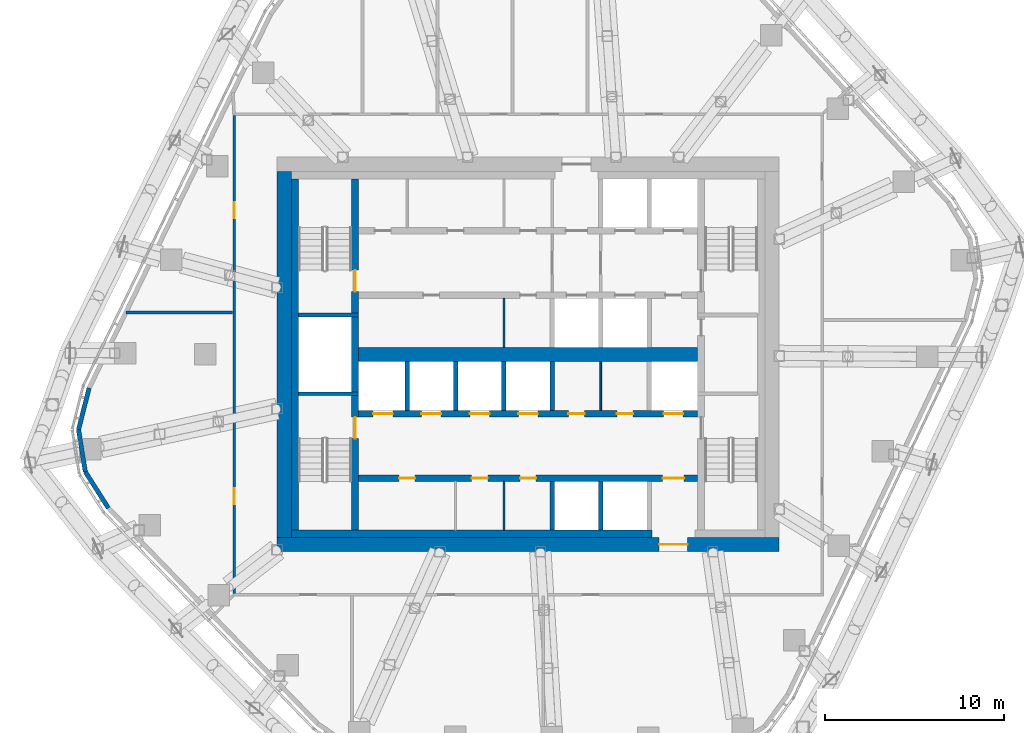
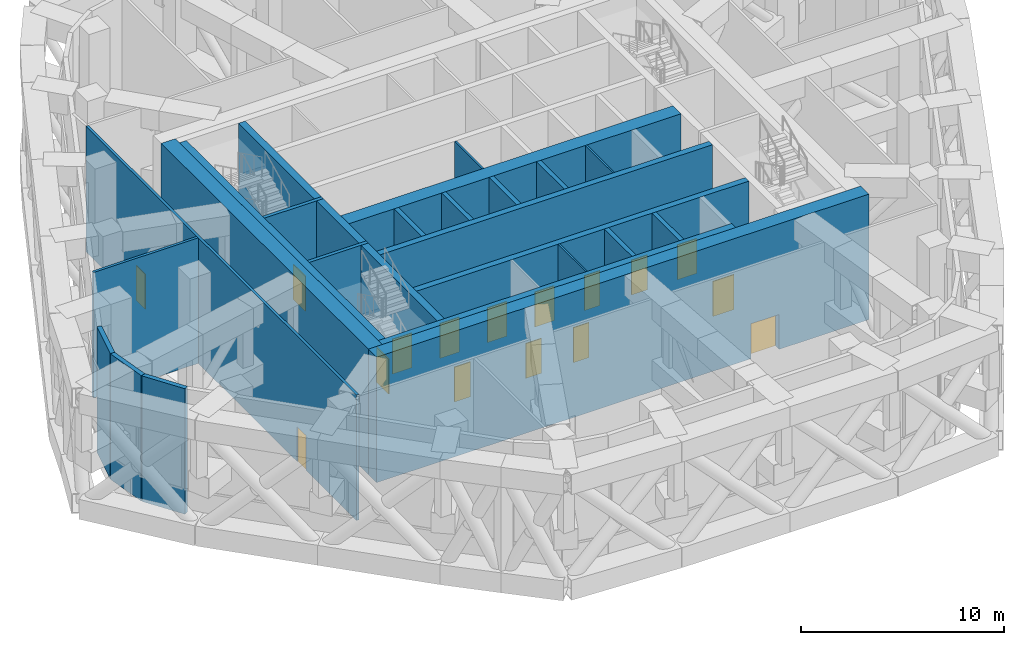
# One storey, part 11 of 21: 26 walls, 16 doors, 16 openings.
"""IFC4 building model written with IfcOpenShell, lengths in metres."""

import ifcopenshell
import ifcopenshell.guid

model = None  # the IFC model being written
_history = None  # IfcOwnerHistory: only IFC2X3 demands one
_inside = {}  # id of a spatial element -> (the spatial element, [elements in it])
_under = {}  # id of a project, library or spatial element -> (it, [spatial elements below it])
_declared = {}  # id of a project -> (the project, [libraries it declares])
_typed = {}  # id of a type object -> (the type object, [elements of that type])
_made_of = {}  # id of a material, layer set ... -> (it, [elements and type objects made of it])


def new_model(schema):
    """Start an empty IFC model of exactly this schema.

    Asked for "IFC4X3", IfcOpenShell would pick the latest addendum, in which some entities
    have other attributes; the version numbers below select the first issue.
    IFC2X3 requires an IfcOwnerHistory on every rooted entity: one is made here for all.
    """
    global model, _history
    if schema == "IFC4X3":
        model = ifcopenshell.file(schema_version=(4, 3, 0, 0))
    else:
        model = ifcopenshell.file(schema=schema)
    _inside.clear()
    _under.clear()
    _declared.clear()
    _typed.clear()
    _made_of.clear()
    _history = None
    if model.schema == "IFC2X3":
        org = make("IfcOrganization", Name="unknown")
        user = make(
            "IfcPersonAndOrganization",
            ThePerson=make("IfcPerson", FamilyName="unknown"),
            TheOrganization=org,
        )
        app = make(
            "IfcApplication",
            ApplicationDeveloper=org,
            Version="unknown",
            ApplicationFullName="unknown",
            ApplicationIdentifier="unknown",
        )
        _history = make(
            "IfcOwnerHistory",
            OwningUser=user,
            OwningApplication=app,
            ChangeAction="ADDED",
            CreationDate=0,
        )
    return model


def make(cls, **values):
    """One entity of the class cls with the attributes given. An attribute that is None is left unset."""
    return model.create_entity(
        cls, **{name: value for name, value in values.items() if value is not None}
    )


def rooted(cls, **values):
    """An entity with a GlobalId (a new one), such as an element, a storey or a relation."""
    return make(cls, GlobalId=ifcopenshell.guid.new(), OwnerHistory=_history, **values)


def si_unit(unit_type, name, prefix=None):
    """IfcSIUnit, for example si_unit("LENGTHUNIT", "METRE", prefix="MILLI")."""
    return make("IfcSIUnit", UnitType=unit_type, Prefix=prefix, Name=name)


def assignment(units):
    """IfcUnitAssignment: the units of a project."""
    return None if units is None else make("IfcUnitAssignment", Units=units)


def point(xyz):
    """IfcCartesianPoint."""
    return None if xyz is None else make("IfcCartesianPoint", Coordinates=xyz)


def direction(xyz):
    """IfcDirection."""
    return None if xyz is None else make("IfcDirection", DirectionRatios=xyz)


def frame(location, z_axis=None, x_axis=None):
    """IfcAxis2Placement3D, a coordinate frame: its origin and axes. An axis left out is left unset."""
    return make(
        "IfcAxis2Placement3D",
        Location=point(location),
        Axis=direction(z_axis),
        RefDirection=direction(x_axis),
    )


def frame_2d(location, x_axis=None):
    """IfcAxis2Placement2D, a coordinate frame in the plane: its origin and x axis."""
    return make(
        "IfcAxis2Placement2D", Location=point(location), RefDirection=direction(x_axis)
    )


def origin():
    """The frame at (0, 0, 0) with its axes left unset."""
    return frame((0.0, 0.0, 0.0))


def place(relative_to, where):
    """IfcLocalPlacement: puts the frame where relative to a parent placement (None: the world)."""
    return make(
        "IfcLocalPlacement", PlacementRelTo=relative_to, RelativePlacement=where
    )


def context(
    kind, dimensions, precision=None, world=None, true_north=None, identifier=None
):
    """IfcGeometricRepresentationContext, for example the 3D "Model" context."""
    return make(
        "IfcGeometricRepresentationContext",
        ContextIdentifier=identifier,
        ContextType=kind,
        CoordinateSpaceDimension=dimensions,
        Precision=precision,
        WorldCoordinateSystem=world,
        TrueNorth=true_north,
    )


def subcontext(parent, identifier, kind, view, scale=None):
    """IfcGeometricRepresentationSubContext, for example "Body" below "Model"."""
    return make(
        "IfcGeometricRepresentationSubContext",
        ContextIdentifier=identifier,
        ContextType=kind,
        ParentContext=parent,
        TargetScale=scale,
        TargetView=view,
    )


def project(units=None, contexts=None):
    """IfcProject with its units and contexts."""
    return rooted(
        "IfcProject",
        Name="project",
        RepresentationContexts=contexts,
        UnitsInContext=assignment(units),
    )


def spatial(cls, under=None, at=None, **own):
    """A site, building, storey or space (cls), placed at a placement, below another one or the project."""
    s = rooted(cls, ObjectPlacement=at, **own)
    if under is not None:
        _under.setdefault(under.id(), (under, []))[1].append(s)
    return s


def profile(cls, at=None, kind="AREA", **sizes):
    """A parametric profile (cls). Its sizes go by their IFC names, for example OverallWidth=200.0."""
    return make(cls, ProfileType=kind, Position=at, **sizes)


def rectangle(**sizes):
    """IfcRectangleProfileDef."""
    return profile("IfcRectangleProfileDef", **sizes)


def extrude(swept, where, along, depth):
    """IfcExtrudedAreaSolid: the profile swept, set in the frame where, extruded along a direction by depth."""
    return make(
        "IfcExtrudedAreaSolid",
        SweptArea=swept,
        Position=where,
        ExtrudedDirection=direction(along),
        Depth=depth,
    )


def shape(context_of_items, identifier, shape_type, items):
    """IfcShapeRepresentation: the items that make up one representation, for example the "Body"."""
    return make(
        "IfcShapeRepresentation",
        ContextOfItems=context_of_items,
        RepresentationIdentifier=identifier,
        RepresentationType=shape_type,
        Items=items,
    )


def material(Name=None, Category=None):
    """IfcMaterial."""
    return make("IfcMaterial", Name=Name, Category=Category)


def layer(
    of_material, thickness, ventilated=None, Name=None, Category=None, Priority=None
):
    """IfcMaterialLayer: one layer of a wall or slab, of a material (None: an air gap)."""
    return make(
        "IfcMaterialLayer",
        Material=of_material,
        LayerThickness=thickness,
        IsVentilated=ventilated,
        Name=Name,
        Category=Category,
        Priority=Priority,
    )


def layer_set(layers, Name=None):
    """IfcMaterialLayerSet."""
    return make("IfcMaterialLayerSet", MaterialLayers=layers, LayerSetName=Name)


def made_of(thing, what):
    """Note that an element or type object is made of a material, layer set ...; save() writes the relation."""
    if what is not None:
        _made_of.setdefault(what.id(), (what, []))[1].append(thing)
    return thing


def type_object(cls, material=None, **own):
    """A type object (cls), such as IfcWallType, which elements share."""
    return made_of(rooted(cls, **own), material)


def element(
    cls,
    number,
    at=None,
    inside=None,
    cuts=None,
    type_object=None,
    material=None,
    context=None,
    identifier="Body",
    shape_type=None,
    held_by="IfcProductDefinitionShape",
    body=None,
    shapes=None,
    **own,
):
    """One element of the class cls, such as IfcWall. Its Tag is "e" and its number.

    at: its placement. inside: the storey or other place that contains it. cuts: it is an
    opening in that element (IfcRelVoidsElement). A single representation is given by context,
    identifier, shape_type and body (its items); several are given by shapes. held_by: the class
    of the entity that holds the representations. save() writes the other relations.
    """
    e = rooted(cls, Tag="e%d" % number, ObjectPlacement=at, **own)
    if body is not None:
        shapes = [shape(context, identifier, shape_type, body)]
    if shapes is not None:
        e.Representation = make(held_by, Representations=shapes)
    if inside is not None:
        _inside.setdefault(inside.id(), (inside, []))[1].append(e)
    if cuts is not None:
        rooted(
            "IfcRelVoidsElement", RelatingBuildingElement=cuts, RelatedOpeningElement=e
        )
    if type_object is not None:
        _typed.setdefault(type_object.id(), (type_object, []))[1].append(e)
    return made_of(e, material)


def fill(opening, filler):
    """IfcRelFillsElement: the door or window that sits in an opening."""
    return rooted(
        "IfcRelFillsElement",
        RelatingOpeningElement=opening,
        RelatedBuildingElement=filler,
    )


def aggregate(whole, parts):
    """IfcRelAggregates: a whole, such as a stair, and the parts it consists of."""
    return rooted("IfcRelAggregates", RelatingObject=whole, RelatedObjects=parts)


def save(model, path):
    """Write the relations noted so far, then the file.

    IfcRelAggregates (storeys below a building ...), IfcRelContainedInSpatialStructure (elements
    in a storey), IfcRelDefinesByType, IfcRelAssociatesMaterial and IfcRelDeclares: one each for
    every whole, place, type object, material and project.
    """
    for whole, parts in _under.values():
        aggregate(whole, parts)
    for where, things in _inside.values():
        rooted(
            "IfcRelContainedInSpatialStructure",
            RelatedElements=things,
            RelatingStructure=where,
        )
    for kind, things in _typed.values():
        rooted("IfcRelDefinesByType", RelatedObjects=things, RelatingType=kind)
    for what, things in _made_of.values():
        rooted("IfcRelAssociatesMaterial", RelatedObjects=things, RelatingMaterial=what)
    for by, libraries in _declared.values():
        rooted("IfcRelDeclares", RelatingContext=by, RelatedDefinitions=libraries)
    model.write(path)


model = new_model("IFC4")

# Units and contexts
model_context = context("Model", 3, precision=1e-05, world=origin(), true_north=direction((0.0, 1.0)))
body_context = subcontext(model_context, "Body", "Model", "MODEL_VIEW")
ifc_project = project(units=[si_unit("LENGTHUNIT", "METRE"), si_unit("AREAUNIT", "SQUARE_METRE"), si_unit("VOLUMEUNIT", "CUBIC_METRE"), si_unit("PLANEANGLEUNIT", "RADIAN"), si_unit("MASSUNIT", "GRAM", prefix="KILO")], contexts=[model_context])

# Site, building, storey
site_placement = place(None, origin())
site = spatial("IfcSite", under=ifc_project, at=site_placement, CompositionType="ELEMENT")
building_placement = place(site_placement, origin())
building = spatial("IfcBuilding", under=site, at=building_placement, Name="Dongbaek Canopy Tower", CompositionType="ELEMENT")
storey_placement = place(building_placement, frame((0.0, 0.0, 220.60009765625)))
storey = spatial("IfcBuildingStorey", under=building, at=storey_placement, Name="L46", CompositionType="ELEMENT", Elevation=220.60009765625)

# Wall
ifc_material_1 = material(Name="Concrete C60/75", Category="concrete")
ifc_layer_1 = layer(ifc_material_1, 0.800048828125)
ifc_layer_set_1 = layer_set([ifc_layer_1], Name="Core central wall 800 Concrete C60/75")
wall_type_1 = type_object("IfcWallType", Name="Core central wall 800 Concrete C60/75", PredefinedType="SHEAR", material=ifc_layer_set_1)
wall_1_placement = place(storey_placement, frame((-9.449951171875, 0.0, 0.0), z_axis=(0.0, 0.0, 1.0), x_axis=(1.0, 0.0, 0.0)))
element("IfcWall", 1, at=wall_1_placement, inside=storey, type_object=wall_type_1, Name="Core wall", PredefinedType="SHEAR", context=body_context, shape_type="SweptSolid", body=[
    extrude(rectangle(XDim=18.89990234375, YDim=0.800048828125, at=frame_2d((9.449951171875, 0.0))), origin(), (0.0, 0.0, 1.0), 7.5498046875),
])

# Wall, openings, doors
ifc_material_2 = material(Name="Concrete C60/75", Category="concrete")
ifc_layer_2 = layer(ifc_material_2, 0.35009765625)
ifc_layer_set_2 = layer_set([ifc_layer_2], Name="Core lobby wall 350 Concrete C60/75")
wall_type_2 = type_object("IfcWallType", Name="Core lobby wall 350 Concrete C60/75", PredefinedType="SHEAR", material=ifc_layer_set_2)
wall_2_placement = place(storey_placement, frame((-9.449951171875, -3.300048828125, 0.0), z_axis=(0.0, 0.0, 1.0), x_axis=(1.0, 0.0, 0.0)))
wall_2 = element("IfcWall", 2, at=wall_2_placement, inside=storey, type_object=wall_type_2, Name="Core wall", PredefinedType="SHEAR", context=body_context, shape_type="SweptSolid", body=[
    extrude(rectangle(XDim=18.89990234375, YDim=0.35009765625, at=frame_2d((9.449951171875, 0.0))), origin(), (0.0, 0.0, 1.0), 7.5498046875),
])
opening_1_placement = place(wall_2_placement, frame((0.800048828125, 0.0, 0.0)))
opening_1 = element("IfcOpeningElement", 3, at=opening_1_placement, cuts=wall_2, Name="Opening L46-D021", PredefinedType="OPENING", context=body_context, shape_type="SweptSolid", body=[
    extrude(rectangle(XDim=1.10009765625, YDim=2.10009765625, at=frame_2d((0.550048828125, 1.050048828125))), frame((0.0, 0.18505859375, 0.0), z_axis=(0.0, -1.0, 0.0), x_axis=(1.0, 0.0, 0.0)), (0.0, 0.0, 1.0), 0.3701171875),
])
opening_2_placement = place(wall_2_placement, frame((3.5, 0.0, 0.0)))
opening_2 = element("IfcOpeningElement", 4, at=opening_2_placement, cuts=wall_2, Name="Opening L46-D022", PredefinedType="OPENING", context=body_context, shape_type="SweptSolid", body=[
    extrude(rectangle(XDim=1.10009765625, YDim=2.10009765625, at=frame_2d((0.550048828125, 1.050048828125))), frame((0.0, 0.18505859375, 0.0), z_axis=(0.0, -1.0, 0.0), x_axis=(1.0, 0.0, 0.0)), (0.0, 0.0, 1.0), 0.3701171875),
])
opening_3_placement = place(wall_2_placement, frame((6.199951171875, 0.0, 0.0)))
opening_3 = element("IfcOpeningElement", 5, at=opening_3_placement, cuts=wall_2, Name="Opening L46-D023", PredefinedType="OPENING", context=body_context, shape_type="SweptSolid", body=[
    extrude(rectangle(XDim=1.10009765625, YDim=2.10009765625, at=frame_2d((0.550048828125, 1.050048828125))), frame((0.0, 0.18505859375, 0.0), z_axis=(0.0, -1.0, 0.0), x_axis=(1.0, 0.0, 0.0)), (0.0, 0.0, 1.0), 0.3701171875),
])
opening_4_placement = place(wall_2_placement, frame((8.89990234375, 0.0, 0.0)))
opening_4 = element("IfcOpeningElement", 6, at=opening_4_placement, cuts=wall_2, Name="Opening L46-D024", PredefinedType="OPENING", context=body_context, shape_type="SweptSolid", body=[
    extrude(rectangle(XDim=1.10009765625, YDim=2.10009765625, at=frame_2d((0.550048828125, 1.050048828125))), frame((0.0, 0.18505859375, 0.0), z_axis=(0.0, -1.0, 0.0), x_axis=(1.0, 0.0, 0.0)), (0.0, 0.0, 1.0), 0.3701171875),
])
opening_5_placement = place(wall_2_placement, frame((17.0, 0.0, 0.0)))
opening_5 = element("IfcOpeningElement", 7, at=opening_5_placement, cuts=wall_2, Name="Opening L46-D025", PredefinedType="OPENING", context=body_context, shape_type="SweptSolid", body=[
    extrude(rectangle(XDim=1.10009765625, YDim=2.10009765625, at=frame_2d((0.550048828125, 1.050048828125))), frame((0.0, 0.18505859375, 0.0), z_axis=(0.0, -1.0, 0.0), x_axis=(1.0, 0.0, 0.0)), (0.0, 0.0, 1.0), 0.3701171875),
])
opening_6_placement = place(wall_2_placement, frame((11.699951171875, 0.0, 0.0)))
opening_6 = element("IfcOpeningElement", 8, at=opening_6_placement, cuts=wall_2, Name="Opening L46-D033", PredefinedType="OPENING", context=body_context, shape_type="SweptSolid", body=[
    extrude(rectangle(XDim=0.89990234375, YDim=2.10009765625, at=frame_2d((0.449951171875, 1.050048828125))), frame((0.0, 0.18505859375, 0.0), z_axis=(0.0, -1.0, 0.0), x_axis=(1.0, 0.0, 0.0)), (0.0, 0.0, 1.0), 0.3701171875),
])
opening_7_placement = place(wall_2_placement, frame((14.39990234375, 0.0, 0.0)))
opening_7 = element("IfcOpeningElement", 9, at=opening_7_placement, cuts=wall_2, Name="Opening L46-D034", PredefinedType="OPENING", context=body_context, shape_type="SweptSolid", body=[
    extrude(rectangle(XDim=0.89990234375, YDim=2.10009765625, at=frame_2d((0.449951171875, 1.050048828125))), frame((0.0, 0.18505859375, 0.0), z_axis=(0.0, -1.0, 0.0), x_axis=(1.0, 0.0, 0.0)), (0.0, 0.0, 1.0), 0.3701171875),
])
ifc_material_3 = material(Name="Steel", Category="steel")
door_type_1 = type_object("IfcDoorType", Name="Core room door 900 x 2100", OperationType="SINGLE_SWING_LEFT", PredefinedType="DOOR", material=ifc_material_3)
door_1_placement = place(opening_6_placement, origin())
door_1 = element("IfcDoor", 10, at=door_1_placement, inside=storey, type_object=door_type_1, Name="Door L46-D033", OperationType="SINGLE_SWING_LEFT", OverallHeight=2.10009765625, OverallWidth=0.89990234375, PredefinedType="DOOR", context=body_context, shape_type="SweptSolid", body=[
    extrude(rectangle(XDim=0.89990234375, YDim=2.10009765625, at=frame_2d((0.449951171875, 1.050048828125))), frame((0.0, 0.02490234375, 0.0), z_axis=(0.0, -1.0, 0.0), x_axis=(1.0, 0.0, 0.0)), (0.0, 0.0, 1.0), 0.050048828125),
])
fill(opening_6, door_1)
door_2_placement = place(opening_7_placement, origin())
door_2 = element("IfcDoor", 11, at=door_2_placement, inside=storey, type_object=door_type_1, Name="Door L46-D034", OperationType="SINGLE_SWING_RIGHT", OverallHeight=2.10009765625, OverallWidth=0.89990234375, PredefinedType="DOOR", context=body_context, shape_type="SweptSolid", body=[
    extrude(rectangle(XDim=0.89990234375, YDim=2.10009765625, at=frame_2d((0.449951171875, 1.050048828125))), frame((0.0, 0.02490234375, 0.0), z_axis=(0.0, -1.0, 0.0), x_axis=(1.0, 0.0, 0.0)), (0.0, 0.0, 1.0), 0.050048828125),
])
fill(opening_7, door_2)
ifc_material_4 = material(Name="Stainless steel", Category="steel")
door_type_2 = type_object("IfcDoorType", Name="Lift landing door 1100 x 2100", OperationType="DOUBLE_DOOR_SLIDING", PredefinedType="DOOR", material=ifc_material_4)
door_3_placement = place(opening_1_placement, origin())
door_3 = element("IfcDoor", 12, at=door_3_placement, inside=storey, type_object=door_type_2, Name="Landing door MR1", OperationType="DOUBLE_DOOR_SLIDING", OverallHeight=2.10009765625, OverallWidth=1.10009765625, PredefinedType="DOOR", context=body_context, shape_type="SweptSolid", body=[
    extrude(rectangle(XDim=1.10009765625, YDim=2.10009765625, at=frame_2d((0.550048828125, 1.050048828125))), frame((0.0, 0.02490234375, 0.0), z_axis=(0.0, -1.0, 0.0), x_axis=(1.0, 0.0, 0.0)), (0.0, 0.0, 1.0), 0.050048828125),
])
fill(opening_1, door_3)
door_4_placement = place(opening_2_placement, origin())
door_4 = element("IfcDoor", 13, at=door_4_placement, inside=storey, type_object=door_type_2, Name="Landing door MR2", OperationType="DOUBLE_DOOR_SLIDING", OverallHeight=2.10009765625, OverallWidth=1.10009765625, PredefinedType="DOOR", context=body_context, shape_type="SweptSolid", body=[
    extrude(rectangle(XDim=1.10009765625, YDim=2.10009765625, at=frame_2d((0.550048828125, 1.050048828125))), frame((0.0, 0.02490234375, 0.0), z_axis=(0.0, -1.0, 0.0), x_axis=(1.0, 0.0, 0.0)), (0.0, 0.0, 1.0), 0.050048828125),
])
fill(opening_2, door_4)
door_5_placement = place(opening_3_placement, origin())
door_5 = element("IfcDoor", 14, at=door_5_placement, inside=storey, type_object=door_type_2, Name="Landing door MR3", OperationType="DOUBLE_DOOR_SLIDING", OverallHeight=2.10009765625, OverallWidth=1.10009765625, PredefinedType="DOOR", context=body_context, shape_type="SweptSolid", body=[
    extrude(rectangle(XDim=1.10009765625, YDim=2.10009765625, at=frame_2d((0.550048828125, 1.050048828125))), frame((0.0, 0.02490234375, 0.0), z_axis=(0.0, -1.0, 0.0), x_axis=(1.0, 0.0, 0.0)), (0.0, 0.0, 1.0), 0.050048828125),
])
fill(opening_3, door_5)
door_6_placement = place(opening_4_placement, origin())
door_6 = element("IfcDoor", 15, at=door_6_placement, inside=storey, type_object=door_type_2, Name="Landing door MR4", OperationType="DOUBLE_DOOR_SLIDING", OverallHeight=2.10009765625, OverallWidth=1.10009765625, PredefinedType="DOOR", context=body_context, shape_type="SweptSolid", body=[
    extrude(rectangle(XDim=1.10009765625, YDim=2.10009765625, at=frame_2d((0.550048828125, 1.050048828125))), frame((0.0, 0.02490234375, 0.0), z_axis=(0.0, -1.0, 0.0), x_axis=(1.0, 0.0, 0.0)), (0.0, 0.0, 1.0), 0.050048828125),
])
fill(opening_4, door_6)
door_7_placement = place(opening_5_placement, origin())
door_7 = element("IfcDoor", 16, at=door_7_placement, inside=storey, type_object=door_type_2, Name="Landing door SV2", OperationType="DOUBLE_DOOR_SLIDING", OverallHeight=2.10009765625, OverallWidth=1.10009765625, PredefinedType="DOOR", context=body_context, shape_type="SweptSolid", body=[
    extrude(rectangle(XDim=1.10009765625, YDim=2.10009765625, at=frame_2d((0.550048828125, 1.050048828125))), frame((0.0, 0.02490234375, 0.0), z_axis=(0.0, -1.0, 0.0), x_axis=(1.0, 0.0, 0.0)), (0.0, 0.0, 1.0), 0.050048828125),
])
fill(opening_5, door_7)

wall_3_placement = place(storey_placement, frame((9.449951171875, -6.89990234375, 0.0), z_axis=(0.0, 0.0, 1.0), x_axis=(-1.0, 0.0, 0.0)))
wall_3 = element("IfcWall", 17, at=wall_3_placement, inside=storey, type_object=wall_type_2, Name="Core wall", PredefinedType="SHEAR", context=body_context, shape_type="SweptSolid", body=[
    extrude(rectangle(XDim=18.89990234375, YDim=0.35009765625, at=frame_2d((9.449951171875, 0.0))), origin(), (0.0, 0.0, 1.0), 7.5498046875),
])
opening_8_placement = place(wall_3_placement, frame((0.75, 0.0, 0.0)))
opening_8 = element("IfcOpeningElement", 18, at=opening_8_placement, cuts=wall_3, Name="Opening L46-D027", PredefinedType="OPENING", context=body_context, shape_type="SweptSolid", body=[
    extrude(rectangle(XDim=1.199951171875, YDim=2.10009765625, at=frame_2d((0.60009765625, 1.050048828125))), frame((0.0, 0.18505859375, 0.0), z_axis=(0.0, -1.0, 0.0), x_axis=(1.0, 0.0, 0.0)), (0.0, 0.0, 1.0), 0.3701171875),
])
opening_9_placement = place(wall_3_placement, frame((15.75, 0.0, 0.0)))
opening_9 = element("IfcOpeningElement", 19, at=opening_9_placement, cuts=wall_3, Name="Opening L46-D035", PredefinedType="OPENING", context=body_context, shape_type="SweptSolid", body=[
    extrude(rectangle(XDim=0.89990234375, YDim=2.10009765625, at=frame_2d((0.449951171875, 1.050048828125))), frame((0.0, 0.18505859375, 0.0), z_axis=(0.0, -1.0, 0.0), x_axis=(1.0, 0.0, 0.0)), (0.0, 0.0, 1.0), 0.3701171875),
])
opening_10_placement = place(wall_3_placement, frame((11.699951171875, 0.0, 0.0)))
opening_10 = element("IfcOpeningElement", 20, at=opening_10_placement, cuts=wall_3, Name="Opening L46-D036", PredefinedType="OPENING", context=body_context, shape_type="SweptSolid", body=[
    extrude(rectangle(XDim=0.89990234375, YDim=2.10009765625, at=frame_2d((0.449951171875, 1.050048828125))), frame((0.0, 0.18505859375, 0.0), z_axis=(0.0, -1.0, 0.0), x_axis=(1.0, 0.0, 0.0)), (0.0, 0.0, 1.0), 0.3701171875),
])
opening_11_placement = place(wall_3_placement, frame((9.0, 0.0, 0.0)))
opening_11 = element("IfcOpeningElement", 21, at=opening_11_placement, cuts=wall_3, Name="Opening L46-D037", PredefinedType="OPENING", context=body_context, shape_type="SweptSolid", body=[
    extrude(rectangle(XDim=0.89990234375, YDim=2.10009765625, at=frame_2d((0.449951171875, 1.050048828125))), frame((0.0, 0.18505859375, 0.0), z_axis=(0.0, -1.0, 0.0), x_axis=(1.0, 0.0, 0.0)), (0.0, 0.0, 1.0), 0.3701171875),
])
door_8_placement = place(opening_9_placement, origin())
door_8 = element("IfcDoor", 22, at=door_8_placement, inside=storey, type_object=door_type_1, Name="Door L46-D035", OperationType="SINGLE_SWING_LEFT", OverallHeight=2.10009765625, OverallWidth=0.89990234375, PredefinedType="DOOR", context=body_context, shape_type="SweptSolid", body=[
    extrude(rectangle(XDim=0.89990234375, YDim=2.10009765625, at=frame_2d((0.449951171875, 1.050048828125))), frame((0.0, 0.02490234375, 0.0), z_axis=(0.0, -1.0, 0.0), x_axis=(1.0, 0.0, 0.0)), (0.0, 0.0, 1.0), 0.050048828125),
])
fill(opening_9, door_8)
door_9_placement = place(opening_10_placement, origin())
door_9 = element("IfcDoor", 23, at=door_9_placement, inside=storey, type_object=door_type_1, Name="Door L46-D036", OperationType="SINGLE_SWING_RIGHT", OverallHeight=2.10009765625, OverallWidth=0.89990234375, PredefinedType="DOOR", context=body_context, shape_type="SweptSolid", body=[
    extrude(rectangle(XDim=0.89990234375, YDim=2.10009765625, at=frame_2d((0.449951171875, 1.050048828125))), frame((0.0, 0.02490234375, 0.0), z_axis=(0.0, -1.0, 0.0), x_axis=(1.0, 0.0, 0.0)), (0.0, 0.0, 1.0), 0.050048828125),
])
fill(opening_10, door_9)
door_10_placement = place(opening_11_placement, origin())
door_10 = element("IfcDoor", 24, at=door_10_placement, inside=storey, type_object=door_type_1, Name="Door L46-D037", OperationType="SINGLE_SWING_LEFT", OverallHeight=2.10009765625, OverallWidth=0.89990234375, PredefinedType="DOOR", context=body_context, shape_type="SweptSolid", body=[
    extrude(rectangle(XDim=0.89990234375, YDim=2.10009765625, at=frame_2d((0.449951171875, 1.050048828125))), frame((0.0, 0.02490234375, 0.0), z_axis=(0.0, -1.0, 0.0), x_axis=(1.0, 0.0, 0.0)), (0.0, 0.0, 1.0), 0.050048828125),
])
fill(opening_11, door_10)
ifc_material_5 = material(Name="Steel", Category="steel")
door_type_3 = type_object("IfcDoorType", Name="Fire lobby door 1200 x 2100", OperationType="SINGLE_SWING_LEFT", PredefinedType="DOOR", material=ifc_material_5)
door_11_placement = place(opening_8_placement, origin())
door_11 = element("IfcDoor", 25, at=door_11_placement, inside=storey, type_object=door_type_3, Name="Door L46-D027", OperationType="SINGLE_SWING_LEFT", OverallHeight=2.10009765625, OverallWidth=1.199951171875, PredefinedType="DOOR", context=body_context, shape_type="SweptSolid", body=[
    extrude(rectangle(XDim=1.199951171875, YDim=2.10009765625, at=frame_2d((0.60009765625, 1.050048828125))), frame((0.0, 0.02490234375, 0.0), z_axis=(0.0, -1.0, 0.0), x_axis=(1.0, 0.0, 0.0)), (0.0, 0.0, 1.0), 0.050048828125),
])
fill(opening_8, door_11)

# Wall, opening, door
ifc_material_6 = material(Name="Concrete C70/85", Category="concrete")
ifc_layer_3 = layer(ifc_material_6, 0.800048828125)
ifc_layer_set_3 = layer_set([ifc_layer_3], Name="Core outer wall 800 Concrete C70/85")
wall_type_3 = type_object("IfcWallType", Name="Core outer wall 800 Concrete C70/85", PredefinedType="SHEAR", material=ifc_layer_set_3)
wall_4_placement = place(storey_placement, frame((14.0, -10.60009765625, 0.0), z_axis=(0.0, 0.0, 1.0), x_axis=(-1.0, 0.0, 0.0)))
wall_4 = element("IfcWall", 26, at=wall_4_placement, inside=storey, type_object=wall_type_3, Name="Core wall", PredefinedType="SHEAR", context=body_context, shape_type="SweptSolid", body=[
    extrude(rectangle(XDim=28.0, YDim=0.800048828125, at=frame_2d((14.0, 0.0))), origin(), (0.0, 0.0, 1.0), 7.5498046875),
])
opening_12_placement = place(wall_4_placement, frame((5.10009765625, 0.0, 0.0)))
opening_12 = element("IfcOpeningElement", 27, at=opening_12_placement, cuts=wall_4, Name="Opening L46-D026", PredefinedType="OPENING", context=body_context, shape_type="SweptSolid", body=[
    extrude(rectangle(XDim=1.60009765625, YDim=2.10009765625, at=frame_2d((0.800048828125, 1.050048828125))), frame((0.0, 0.409912109375, 0.0), z_axis=(0.0, -1.0, 0.0), x_axis=(1.0, 0.0, 0.0)), (0.0, 0.0, 1.0), 0.820068359375),
])
ifc_material_7 = material(Name="Steel", Category="steel")
door_type_4 = type_object("IfcDoorType", Name="Core exit door 1600 x 2100", OperationType="DOUBLE_DOOR_SINGLE_SWING", PredefinedType="DOOR", material=ifc_material_7)
door_12_placement = place(opening_12_placement, origin())
door_12 = element("IfcDoor", 28, at=door_12_placement, inside=storey, type_object=door_type_4, Name="Core exit door", OperationType="DOUBLE_DOOR_SINGLE_SWING", OverallHeight=2.10009765625, OverallWidth=1.60009765625, PredefinedType="DOOR", context=body_context, shape_type="SweptSolid", body=[
    extrude(rectangle(XDim=1.60009765625, YDim=2.10009765625, at=frame_2d((0.800048828125, 1.050048828125))), frame((0.0, 0.02490234375, 0.0), z_axis=(0.0, -1.0, 0.0), x_axis=(1.0, 0.0, 0.0)), (0.0, 0.0, 1.0), 0.050048828125),
])
fill(opening_12, door_12)

# Walls
wall_5_placement = place(storey_placement, frame((-13.60009765625, -10.199951171875, 0.0), z_axis=(0.0, 0.0, 1.0), x_axis=(0.0, 1.0, 0.0)))
element("IfcWall", 29, at=wall_5_placement, inside=storey, type_object=wall_type_3, Name="Core wall", PredefinedType="SHEAR", context=body_context, shape_type="SweptSolid", body=[
    extrude(rectangle(XDim=20.39990234375, YDim=0.800048828125, at=frame_2d((10.199951171875, 0.0))), origin(), (0.0, 0.0, 1.0), 7.5498046875),
])
ifc_material_8 = material(Name="Concrete C60/75", Category="concrete")
ifc_layer_4 = layer(ifc_material_8, 0.39990234375)
ifc_layer_set_4 = layer_set([ifc_layer_4], Name="Core wall lining 400 Concrete C60/75")
wall_type_4 = type_object("IfcWallType", Name="Core wall lining 400 Concrete C60/75", PredefinedType="SHEAR", material=ifc_layer_set_4)
wall_6_placement = place(storey_placement, frame((6.89990234375, -10.0, 0.0), z_axis=(0.0, 0.0, 1.0), x_axis=(-1.0, 0.0, 0.0)))
element("IfcWall", 30, at=wall_6_placement, inside=storey, type_object=wall_type_4, Name="Core wall lining", PredefinedType="SHEAR", context=body_context, shape_type="SweptSolid", body=[
    extrude(rectangle(XDim=20.099853515625, YDim=0.39990234375, at=frame_2d((10.0498046875, 0.0))), origin(), (0.0, 0.0, 1.0), 7.5498046875),
])
wall_7_placement = place(storey_placement, frame((-13.0, -9.800048828125, 0.0), z_axis=(0.0, 0.0, 1.0), x_axis=(0.0, 1.0, 0.0)))
element("IfcWall", 31, at=wall_7_placement, inside=storey, type_object=wall_type_4, Name="Core wall lining", PredefinedType="SHEAR", context=body_context, shape_type="SweptSolid", body=[
    extrude(rectangle(XDim=19.60009765625, YDim=0.39990234375, at=frame_2d((9.800048828125, 0.0))), origin(), (0.0, 0.0, 1.0), 7.5498046875),
])
ifc_material_9 = material(Name="Gypsum board partition, steel stud, 2 x 15 mm fire board", Category="steel")
ifc_layer_5 = layer(ifc_material_9, 0.14990234375)
ifc_layer_set_5 = layer_set([ifc_layer_5], Name="Fire-rated partition 150 gypsum board")
wall_type_5 = type_object("IfcWallType", Name="Fire-rated partition 150 gypsum board", PredefinedType="PARTITIONING", material=ifc_layer_set_5)
wall_8_placement = place(storey_placement, frame((-22.424560546875, 2.337890625, 0.0), z_axis=(0.0, 0.0, 1.0), x_axis=(1.0, 0.0, 0.0)))
element("IfcWall", 32, at=wall_8_placement, inside=storey, type_object=wall_type_5, Name="Corridor partition", PredefinedType="PARTITIONING", context=body_context, shape_type="SweptSolid", body=[
    extrude(rectangle(XDim=5.949462890625, YDim=0.14990234375, at=frame_2d((2.974609375, 0.0))), origin(), (0.0, 0.0, 1.0), 7.5498046875),
])

# Wall, openings, doors
wall_9_placement = place(storey_placement, frame((-16.39990234375, -13.324951171875, 0.0), z_axis=(0.0, 0.0, 1.0), x_axis=(0.0, 1.0, 0.0)))
wall_9 = element("IfcWall", 33, at=wall_9_placement, inside=storey, type_object=wall_type_5, Name="Corridor partition", PredefinedType="PARTITIONING", context=body_context, shape_type="SweptSolid", body=[
    extrude(rectangle(XDim=26.64990234375, YDim=0.14990234375, at=frame_2d((13.324951171875, 0.0))), origin(), (0.0, 0.0, 1.0), 7.5498046875),
])
opening_13_placement = place(wall_9_placement, frame((4.95849609375, 0.0, 0.0)))
opening_13 = element("IfcOpeningElement", 34, at=opening_13_placement, cuts=wall_9, Name="Opening L46-D001", PredefinedType="OPENING", context=body_context, shape_type="SweptSolid", body=[
    extrude(rectangle(XDim=0.89990234375, YDim=2.10009765625, at=frame_2d((0.449951171875, 1.050048828125))), frame((0.0, 0.0849609375, 0.0), z_axis=(0.0, -1.0, 0.0), x_axis=(1.0, 0.0, 0.0)), (0.0, 0.0, 1.0), 0.169921875),
])
opening_14_placement = place(wall_9_placement, frame((20.917236328125, 0.0, 0.0)))
opening_14 = element("IfcOpeningElement", 35, at=opening_14_placement, cuts=wall_9, Name="Opening L46-D012", PredefinedType="OPENING", context=body_context, shape_type="SweptSolid", body=[
    extrude(rectangle(XDim=0.89990234375, YDim=2.10009765625, at=frame_2d((0.449951171875, 1.050048828125))), frame((0.0, 0.0849609375, 0.0), z_axis=(0.0, -1.0, 0.0), x_axis=(1.0, 0.0, 0.0)), (0.0, 0.0, 1.0), 0.169921875),
])
ifc_material_10 = material(Name="Timber veneered door leaf", Category="wood")
door_type_5 = type_object("IfcDoorType", Name="Room door 900 x 2100", OperationType="SINGLE_SWING_LEFT", PredefinedType="DOOR", material=ifc_material_10)
door_13_placement = place(opening_13_placement, origin())
door_13 = element("IfcDoor", 36, at=door_13_placement, inside=storey, type_object=door_type_5, Name="Door L46-D001", OperationType="SINGLE_SWING_RIGHT", OverallHeight=2.10009765625, OverallWidth=0.89990234375, PredefinedType="DOOR", context=body_context, shape_type="SweptSolid", body=[
    extrude(rectangle(XDim=0.89990234375, YDim=2.10009765625, at=frame_2d((0.449951171875, 1.050048828125))), frame((0.0, 0.02490234375, 0.0), z_axis=(0.0, -1.0, 0.0), x_axis=(1.0, 0.0, 0.0)), (0.0, 0.0, 1.0), 0.050048828125),
])
fill(opening_13, door_13)
ifc_material_11 = material(Name="Timber veneered door leaf", Category="wood")
door_type_6 = type_object("IfcDoorType", Name="Store door 900 x 2100", OperationType="SINGLE_SWING_LEFT", PredefinedType="DOOR", material=ifc_material_11)
door_14_placement = place(opening_14_placement, origin())
door_14 = element("IfcDoor", 37, at=door_14_placement, inside=storey, type_object=door_type_6, Name="Door L46-D012", OperationType="SINGLE_SWING_LEFT", OverallHeight=2.10009765625, OverallWidth=0.89990234375, PredefinedType="DOOR", context=body_context, shape_type="SweptSolid", body=[
    extrude(rectangle(XDim=0.89990234375, YDim=2.10009765625, at=frame_2d((0.449951171875, 1.050048828125))), frame((0.0, 0.02490234375, 0.0), z_axis=(0.0, -1.0, 0.0), x_axis=(1.0, 0.0, 0.0)), (0.0, 0.0, 1.0), 0.050048828125),
])
fill(opening_14, door_14)

# Walls
ifc_material_12 = material(Name="Concrete C40/50", Category="concrete")
ifc_layer_6 = layer(ifc_material_12, 0.25)
ifc_layer_set_6 = layer_set([ifc_layer_6], Name="Lift shaft wall 250 Concrete C40/50")
wall_type_6 = type_object("IfcWallType", Name="Lift shaft wall 250 Concrete C40/50", PredefinedType="SOLIDWALL", material=ifc_layer_set_6)
for number, where, z_axis, x_axis, name in (
    (38, (4.050048828125, -9.800048828125, 0.0), (0.0, 0.0, 1.0), (0.0, 1.0, 0.0), "Lift shaft wall"),
    (39, (1.35009765625, -9.800048828125, 0.0), (0.0, 0.0, 1.0), (0.0, 1.0, 0.0), "Lift shaft wall"),
    (40, (1.35009765625, -3.125, 0.0), (0.0, 0.0, 1.0), (0.0, 1.0, 0.0), "Lift shaft wall"),
    (41, (-1.35009765625, -3.125, 0.0), (0.0, 0.0, 1.0), (0.0, 1.0, 0.0), "Lift shaft wall"),
    (42, (-4.050048828125, -3.125, 0.0), (0.0, 0.0, 1.0), (0.0, 1.0, 0.0), "Lift shaft wall"),
    (43, (-6.75, -3.125, 0.0), (0.0, 0.0, 1.0), (0.0, 1.0, 0.0), "Lift shaft wall"),
):
    element("IfcWall", number, at=place(storey_placement, frame(where, z_axis=z_axis, x_axis=x_axis)), inside=storey, type_object=wall_type_6, Name=name, PredefinedType="SOLIDWALL", context=body_context, shape_type="SweptSolid", body=[
        extrude(rectangle(XDim=2.72509765625, YDim=0.25, at=frame_2d((1.362548828125, 0.0))), origin(), (0.0, 0.0, 1.0), 7.5498046875),
    ])
ifc_material_13 = material(Name="Gypsum board partition, steel stud, 2 x 12.5 mm board", Category="steel")
ifc_layer_7 = layer(ifc_material_13, 0.10009765625)
ifc_layer_set_7 = layer_set([ifc_layer_7], Name="Partition 100 gypsum board")
wall_type_7 = type_object("IfcWallType", Name="Partition 100 gypsum board", PredefinedType="PARTITIONING", material=ifc_layer_set_7)
for number, where, z_axis, x_axis, name in (
    (44, (4.050048828125, -3.125, 0.0), (0.0, 0.0, 1.0), (0.0, 1.0, 0.0), "Core partition"),
    (45, (-1.35009765625, -9.800048828125, 0.0), (0.0, 0.0, 1.0), (0.0, 1.0, 0.0), "Core partition"),
    (46, (-1.35009765625, 0.39990234375, 0.0), (0.0, 0.0, 1.0), (0.0, 1.0, 0.0), "Core partition"),
):
    element("IfcWall", number, at=place(storey_placement, frame(where, z_axis=z_axis, x_axis=x_axis)), inside=storey, type_object=wall_type_7, Name=name, PredefinedType="PARTITIONING", context=body_context, shape_type="SweptSolid", body=[
        extrude(rectangle(XDim=2.72509765625, YDim=0.10009765625, at=frame_2d((1.362548828125, 0.0))), origin(), (0.0, 0.0, 1.0), 7.5498046875),
    ])
ifc_material_14 = material(Name="Pale metal cladding on insulated wall")
ifc_layer_8 = layer(ifc_material_14, 0.25)
ifc_layer_set_8 = layer_set([ifc_layer_8], Name="Plant floor wall 250")
wall_type_8 = type_object("IfcWallType", Name="Plant floor wall 250", PredefinedType="SOLIDWALL", material=ifc_layer_set_8)
wall_10_placement = place(storey_placement, frame((-24.4892578125, -1.86865234375, 0.0), z_axis=(0.0, 0.0, 1.0), x_axis=(-0.245793851247, -0.969322125348, 0.0)))
element("IfcWall", 47, at=wall_10_placement, inside=storey, type_object=wall_type_8, Name="Plant wall L46 K3 1", PredefinedType="SOLIDWALL", context=body_context, shape_type="SweptSolid", body=[
    extrude(rectangle(XDim=2.396728515625, YDim=0.25, at=frame_2d((1.1982421875, 0.0))), origin(), (0.0, 0.0, 1.0), 7.5498046875),
])
wall_11_placement = place(storey_placement, frame((-25.078369140625, -4.19189453125, 0.0), z_axis=(0.0, 0.0, 1.0), x_axis=(0.158473287488, -0.987363265041, 0.0)))
element("IfcWall", 48, at=wall_11_placement, inside=storey, type_object=wall_type_8, Name="Plant wall L46 K3 2", PredefinedType="SOLIDWALL", context=body_context, shape_type="SweptSolid", body=[
    extrude(rectangle(XDim=2.386474609375, YDim=0.25, at=frame_2d((1.193359375, 0.0))), origin(), (0.0, 0.0, 1.0), 7.5498046875),
])
wall_12_placement = place(storey_placement, frame((-24.7001953125, -6.548095703125, 0.0), z_axis=(0.0, 0.0, 1.0), x_axis=(0.536756859965, -0.843736969251, 0.0)))
element("IfcWall", 49, at=wall_12_placement, inside=storey, type_object=wall_type_8, Name="Plant wall L46 K3 3", PredefinedType="SOLIDWALL", context=body_context, shape_type="SweptSolid", body=[
    extrude(rectangle(XDim=2.39697265625, YDim=0.25, at=frame_2d((1.198486328125, 0.0))), origin(), (0.0, 0.0, 1.0), 7.5498046875),
])
ifc_material_15 = material(Name="Concrete C60/75", Category="concrete")
ifc_layer_9 = layer(ifc_material_15, 0.199951171875)
ifc_layer_set_9 = layer_set([ifc_layer_9], Name="Riser wall 200 Concrete C60/75")
wall_type_9 = type_object("IfcWallType", Name="Riser wall 200 Concrete C60/75", PredefinedType="SHEAR", material=ifc_layer_set_9)
for number, where, z_axis, x_axis, name in (
    (50, (-9.449951171875, 2.199951171875, 0.0), (0.0, 0.0, 1.0), (-1.0, 0.0, 0.0), "Riser wall"),
    (51, (-9.449951171875, -2.199951171875, 0.0), (0.0, 0.0, 1.0), (-1.0, 0.0, 0.0), "Riser wall"),
):
    element("IfcWall", number, at=place(storey_placement, frame(where, z_axis=z_axis, x_axis=x_axis)), inside=storey, type_object=wall_type_9, Name=name, PredefinedType="SHEAR", context=body_context, shape_type="SweptSolid", body=[
        extrude(rectangle(XDim=3.35009765625, YDim=0.199951171875, at=frame_2d((1.675048828125, 0.0))), origin(), (0.0, 0.0, 1.0), 7.5498046875),
    ])

# Wall, opening, door
ifc_material_16 = material(Name="Concrete C60/75", Category="concrete")
ifc_layer_10 = layer(ifc_material_16, 0.39990234375)
ifc_layer_set_10 = layer_set([ifc_layer_10], Name="Stair wall 400 Concrete C60/75")
wall_type_10 = type_object("IfcWallType", Name="Stair wall 400 Concrete C60/75", PredefinedType="SHEAR", material=ifc_layer_set_10)
wall_13_placement = place(storey_placement, frame((-9.64990234375, -9.800048828125, 0.0), z_axis=(0.0, 0.0, 1.0), x_axis=(0.0, 1.0, 0.0)))
wall_13 = element("IfcWall", 52, at=wall_13_placement, inside=storey, type_object=wall_type_10, Name="Stair wall", PredefinedType="SHEAR", context=body_context, shape_type="SweptSolid", body=[
    extrude(rectangle(XDim=7.5, YDim=0.39990234375, at=frame_2d((3.75, 0.0))), origin(), (0.0, 0.0, 1.0), 7.5498046875),
])
opening_15_placement = place(wall_13_placement, frame((5.10009765625, 0.0, 0.0)))
opening_15 = element("IfcOpeningElement", 53, at=opening_15_placement, cuts=wall_13, Name="Opening L46-D041", PredefinedType="OPENING", context=body_context, shape_type="SweptSolid", body=[
    extrude(rectangle(XDim=1.199951171875, YDim=2.10009765625, at=frame_2d((0.60009765625, 1.050048828125))), frame((0.0, 0.2099609375, 0.0), z_axis=(0.0, -1.0, 0.0), x_axis=(1.0, 0.0, 0.0)), (0.0, 0.0, 1.0), 0.419921875),
])
ifc_material_17 = material(Name="Steel", Category="steel")
door_type_7 = type_object("IfcDoorType", Name="Stair door 1200 x 2100", OperationType="SINGLE_SWING_LEFT", PredefinedType="DOOR", material=ifc_material_17)
door_15_placement = place(opening_15_placement, origin())
door_15 = element("IfcDoor", 54, at=door_15_placement, inside=storey, type_object=door_type_7, Name="Stair D door", OperationType="SINGLE_SWING_LEFT", OverallHeight=2.10009765625, OverallWidth=1.199951171875, PredefinedType="DOOR", context=body_context, shape_type="SweptSolid", body=[
    extrude(rectangle(XDim=1.199951171875, YDim=2.10009765625, at=frame_2d((0.60009765625, 1.050048828125))), frame((0.0, 0.02490234375, 0.0), z_axis=(0.0, -1.0, 0.0), x_axis=(1.0, 0.0, 0.0)), (0.0, 0.0, 1.0), 0.050048828125),
])
fill(opening_15, door_15)

# Wall
wall_14_placement = place(storey_placement, frame((-9.64990234375, -2.10009765625, 0.0), z_axis=(0.0, 0.0, 1.0), x_axis=(0.0, 1.0, 0.0)))
element("IfcWall", 55, at=wall_14_placement, inside=storey, type_object=wall_type_10, Name="Stair wall", PredefinedType="SHEAR", context=body_context, shape_type="SweptSolid", body=[
    extrude(rectangle(XDim=4.2001953125, YDim=0.39990234375, at=frame_2d((2.10009765625, 0.0))), origin(), (0.0, 0.0, 1.0), 7.5498046875),
])

# Wall, opening, door
wall_15_placement = place(storey_placement, frame((-9.64990234375, 2.300048828125, 0.0), z_axis=(0.0, 0.0, 1.0), x_axis=(0.0, 1.0, 0.0)))
wall_15 = element("IfcWall", 56, at=wall_15_placement, inside=storey, type_object=wall_type_10, Name="Stair wall", PredefinedType="SHEAR", context=body_context, shape_type="SweptSolid", body=[
    extrude(rectangle(XDim=7.5, YDim=0.39990234375, at=frame_2d((3.75, 0.0))), origin(), (0.0, 0.0, 1.0), 7.5498046875),
])
opening_16_placement = place(wall_15_placement, frame((1.199951171875, 0.0, 0.0)))
opening_16 = element("IfcOpeningElement", 57, at=opening_16_placement, cuts=wall_15, Name="Opening L46-D039", PredefinedType="OPENING", context=body_context, shape_type="SweptSolid", body=[
    extrude(rectangle(XDim=1.199951171875, YDim=2.10009765625, at=frame_2d((0.60009765625, 1.050048828125))), frame((0.0, 0.2099609375, 0.0), z_axis=(0.0, -1.0, 0.0), x_axis=(1.0, 0.0, 0.0)), (0.0, 0.0, 1.0), 0.419921875),
])
door_16_placement = place(opening_16_placement, origin())
door_16 = element("IfcDoor", 58, at=door_16_placement, inside=storey, type_object=door_type_7, Name="Stair C door", OperationType="SINGLE_SWING_RIGHT", OverallHeight=2.10009765625, OverallWidth=1.199951171875, PredefinedType="DOOR", context=body_context, shape_type="SweptSolid", body=[
    extrude(rectangle(XDim=1.199951171875, YDim=2.10009765625, at=frame_2d((0.60009765625, 1.050048828125))), frame((0.0, 0.02490234375, 0.0), z_axis=(0.0, -1.0, 0.0), x_axis=(1.0, 0.0, 0.0)), (0.0, 0.0, 1.0), 0.050048828125),
])
fill(opening_16, door_16)

save(model, "model.ifc")
